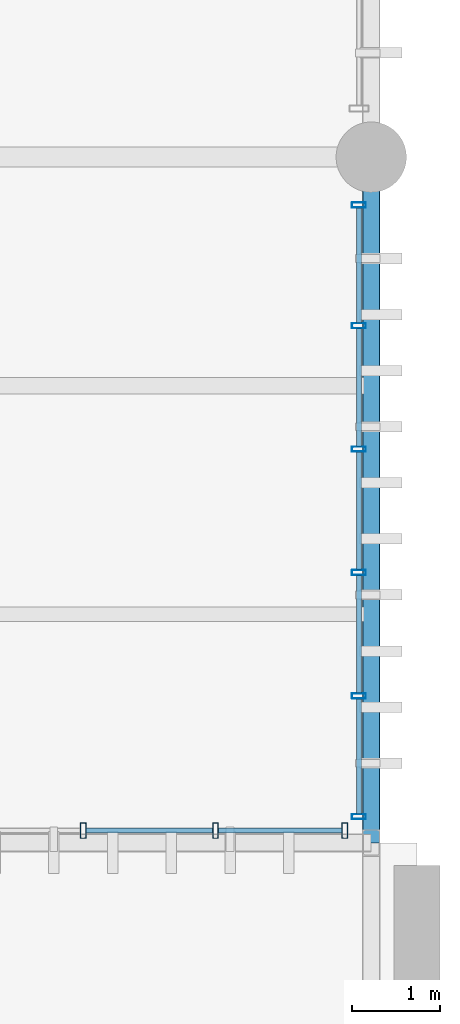
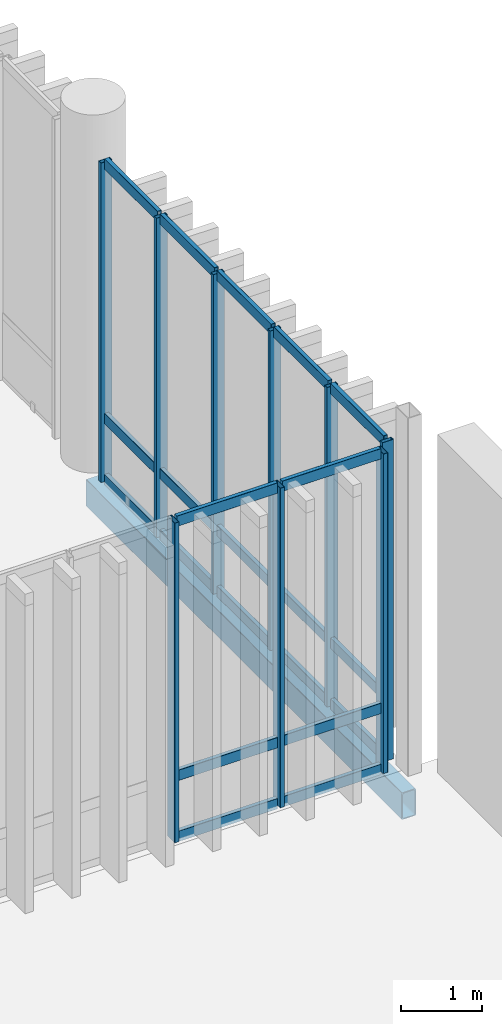
# One storey, part 61 of 112: 30 members, 1 beam, 2 elements without a shape of their own.
"""IFC4 building model written with IfcOpenShell, lengths in metres."""

from ifc_helpers import new_model, si_unit, direction, frame, origin_with_axes, origin_2d_with_axis, place, context, subcontext, project, spatial, hollow_rectangle, extrude, material, material_profile, profile_set, type_object, element, aggregate, save


model = new_model("IFC4")

# Units and contexts
model_context = context("Model", 3, precision=1e-05, world=origin_with_axes(), true_north=direction((0.0, 1.0)))
body_context = subcontext(model_context, "Body", "Model", "MODEL_VIEW")
ifc_project = project(units=[si_unit("LENGTHUNIT", "METRE"), si_unit("AREAUNIT", "SQUARE_METRE"), si_unit("VOLUMEUNIT", "CUBIC_METRE"), si_unit("PLANEANGLEUNIT", "RADIAN"), si_unit("MASSUNIT", "GRAM", prefix="KILO"), si_unit("THERMODYNAMICTEMPERATUREUNIT", "KELVIN")], contexts=[model_context])

# Site, building, storey
site_placement = place(None, origin_with_axes())
site = spatial("IfcSite", under=ifc_project, at=site_placement, CompositionType="ELEMENT")
building_placement = place(site_placement, origin_with_axes())
building = spatial("IfcBuilding", under=site, at=building_placement, Name="Montbau Bow Law Courts", CompositionType="ELEMENT")
storey_placement = place(building_placement, origin_with_axes())
storey = spatial("IfcBuildingStorey", under=building, at=storey_placement, Name="L00", CompositionType="ELEMENT", Elevation=0.0)

# Beam
ifc_material_1 = material(Name="Steel CSA G40.21 Grade 350WT (350 MPa)", Category="steel")
ifc_material_profile_1 = material_profile(ifc_material_1, hollow_rectangle(XDim=0.203, YDim=0.406, WallThickness=0.0127, InnerFilletRadius=0.0254, OuterFilletRadius=0.0127, at=origin_2d_with_axis()), Name="HSS406X203X13", Category="Main", Priority=0)
ifc_profile_set_1 = profile_set([ifc_material_profile_1], Name="Steel CSA G40.21 Grade 350WT (350 MPa)")
beam_type = type_object("IfcBeamType", Name="B-SPN-01", PredefinedType="SPANDREL", material=ifc_profile_set_1)
beam_placement = place(None, frame((169.4, 61.8, -0.543), z_axis=(0.0, 1.0, 0.0), x_axis=(-1.0, 0.0, 0.0)))
element("IfcBeam", 1, at=beam_placement, inside=storey, type_object=beam_type, Name="SPN-L00-S0459:bm2_0462", PredefinedType="SPANDREL", context=body_context, shape_type="SweptSolid", body=[
    extrude(hollow_rectangle(XDim=0.203, YDim=0.406, WallThickness=0.0127, InnerFilletRadius=0.0254, OuterFilletRadius=0.0127, at=origin_2d_with_axis()), origin_with_axes(), (0.0, 0.0, 1.0), 7.8),
])

# Curtain wall, members
ifc_material_2 = material(Name="Thermally Broken Extruded Aluminium AA 6063-T6", Category="aluminium")
curtain_wall_type = type_object("IfcCurtainWallType", Name="CW-SLT-01", PredefinedType="NOTDEFINED", material=ifc_material_2)
curtain_wall_1_placement = place(None, frame((163.115, 61.94, 0.0), z_axis=(0.0, 0.0, 1.0), x_axis=(1.0, 0.0, 0.0)))
curtain_wall_1 = element("IfcCurtainWall", 2, at=curtain_wall_1_placement, inside=storey, type_object=curtain_wall_type, Name="CW-L00-262:cw_0262", PredefinedType="NOTDEFINED")
ifc_material_profile_2 = material_profile(ifc_material_2, hollow_rectangle(XDim=0.065, YDim=0.18, WallThickness=0.005, InnerFilletRadius=0.01, OuterFilletRadius=0.005, at=origin_2d_with_axis()), Name="CWM-180X65", Category="Main", Priority=0)
ifc_profile_set_2 = profile_set([ifc_material_profile_2], Name="Thermally Broken Extruded Aluminium AA 6063-T6")
member_type_1 = type_object("IfcMemberType", Name="M-MUL-02", PredefinedType="MULLION", material=ifc_profile_set_2)
member_1_placement = place(None, frame((166.123, 61.94, 0.0), z_axis=(0.0, 0.0, 1.0), x_axis=(1.0, 0.0, 0.0)))
member_1 = element("IfcMember", 3, at=member_1_placement, type_object=member_type_1, Name="CW-L00-262-M03:cw_0262_M03", PredefinedType="MULLION", context=body_context, shape_type="SweptSolid", body=[
    extrude(hollow_rectangle(XDim=0.065, YDim=0.18, WallThickness=0.005, InnerFilletRadius=0.01, OuterFilletRadius=0.005, at=origin_2d_with_axis()), origin_with_axes(), (0.0, 0.0, 1.0), 4.82),
])
member_2_placement = place(None, frame((167.628, 61.94, 0.0), z_axis=(0.0, 0.0, 1.0), x_axis=(1.0, 0.0, 0.0)))
member_2 = element("IfcMember", 4, at=member_2_placement, type_object=member_type_1, Name="CW-L00-262-M04:cw_0262_M04", PredefinedType="MULLION", context=body_context, shape_type="SweptSolid", body=[
    extrude(hollow_rectangle(XDim=0.065, YDim=0.18, WallThickness=0.005, InnerFilletRadius=0.01, OuterFilletRadius=0.005, at=origin_2d_with_axis()), origin_with_axes(), (0.0, 0.0, 1.0), 4.82),
])
member_3_placement = place(None, frame((169.099, 61.94, 0.0), z_axis=(0.0, 0.0, 1.0), x_axis=(1.0, 0.0, 0.0)))
member_3 = element("IfcMember", 5, at=member_3_placement, type_object=member_type_1, Name="CW-L00-262-M05:cw_0262_M05", PredefinedType="MULLION", context=body_context, shape_type="SweptSolid", body=[
    extrude(hollow_rectangle(XDim=0.065, YDim=0.18, WallThickness=0.005, InnerFilletRadius=0.01, OuterFilletRadius=0.005, at=origin_2d_with_axis()), origin_with_axes(), (0.0, 0.0, 1.0), 4.82),
])

curtain_wall_2_placement = place(None, frame((169.26, 62.068, 0.0), z_axis=(0.0, 0.0, 1.0), x_axis=(1.0, 0.0, 0.0)))
curtain_wall_2 = element("IfcCurtainWall", 6, at=curtain_wall_2_placement, inside=storey, type_object=curtain_wall_type, Name="CW-L00-272:cw_0272", PredefinedType="NOTDEFINED")
ifc_material_profile_3 = material_profile(ifc_material_2, hollow_rectangle(XDim=0.06, YDim=0.16, WallThickness=0.004, InnerFilletRadius=0.008, OuterFilletRadius=0.004, at=origin_2d_with_axis()), Name="CWM-160X60", Category="Main", Priority=0)
ifc_profile_set_3 = profile_set([ifc_material_profile_3], Name="Thermally Broken Extruded Aluminium AA 6063-T6")
member_type_2 = type_object("IfcMemberType", Name="M-MUL-03", PredefinedType="MULLION", material=ifc_profile_set_3)
member_4_placement = place(None, frame((169.26, 62.098, 0.0), z_axis=(0.0, 0.0, 1.0), x_axis=(0.0, 1.0, 0.0)))
member_4 = element("IfcMember", 7, at=member_4_placement, type_object=member_type_2, Name="CW-L00-272-M01:cw_0272_M01", PredefinedType="MULLION", context=body_context, shape_type="SweptSolid", body=[
    extrude(hollow_rectangle(XDim=0.06, YDim=0.16, WallThickness=0.004, InnerFilletRadius=0.008, OuterFilletRadius=0.004, at=origin_2d_with_axis()), origin_with_axes(), (0.0, 0.0, 1.0), 4.82),
])
member_5_placement = place(None, frame((169.26, 63.471, 0.0), z_axis=(0.0, 0.0, 1.0), x_axis=(0.0, 1.0, 0.0)))
member_5 = element("IfcMember", 8, at=member_5_placement, type_object=member_type_2, Name="CW-L00-272-M02:cw_0272_M02", PredefinedType="MULLION", context=body_context, shape_type="SweptSolid", body=[
    extrude(hollow_rectangle(XDim=0.06, YDim=0.16, WallThickness=0.004, InnerFilletRadius=0.008, OuterFilletRadius=0.004, at=origin_2d_with_axis()), origin_with_axes(), (0.0, 0.0, 1.0), 4.82),
])
member_6_placement = place(None, frame((169.26, 64.875, 0.0), z_axis=(0.0, 0.0, 1.0), x_axis=(0.0, 1.0, 0.0)))
member_6 = element("IfcMember", 9, at=member_6_placement, type_object=member_type_2, Name="CW-L00-272-M03:cw_0272_M03", PredefinedType="MULLION", context=body_context, shape_type="SweptSolid", body=[
    extrude(hollow_rectangle(XDim=0.06, YDim=0.16, WallThickness=0.004, InnerFilletRadius=0.008, OuterFilletRadius=0.004, at=origin_2d_with_axis()), origin_with_axes(), (0.0, 0.0, 1.0), 4.82),
])
member_7_placement = place(None, frame((169.26, 66.278, 0.0), z_axis=(0.0, 0.0, 1.0), x_axis=(0.0, 1.0, 0.0)))
member_7 = element("IfcMember", 10, at=member_7_placement, type_object=member_type_2, Name="CW-L00-272-M04:cw_0272_M04", PredefinedType="MULLION", context=body_context, shape_type="SweptSolid", body=[
    extrude(hollow_rectangle(XDim=0.06, YDim=0.16, WallThickness=0.004, InnerFilletRadius=0.008, OuterFilletRadius=0.004, at=origin_2d_with_axis()), origin_with_axes(), (0.0, 0.0, 1.0), 4.82),
])
member_8_placement = place(None, frame((169.26, 67.682, 0.0), z_axis=(0.0, 0.0, 1.0), x_axis=(0.0, 1.0, 0.0)))
member_8 = element("IfcMember", 11, at=member_8_placement, type_object=member_type_2, Name="CW-L00-272-M05:cw_0272_M05", PredefinedType="MULLION", context=body_context, shape_type="SweptSolid", body=[
    extrude(hollow_rectangle(XDim=0.06, YDim=0.16, WallThickness=0.004, InnerFilletRadius=0.008, OuterFilletRadius=0.004, at=origin_2d_with_axis()), origin_with_axes(), (0.0, 0.0, 1.0), 4.82),
])
member_9_placement = place(None, frame((169.26, 69.055, 0.0), z_axis=(0.0, 0.0, 1.0), x_axis=(0.0, 1.0, 0.0)))
member_9 = element("IfcMember", 12, at=member_9_placement, type_object=member_type_2, Name="CW-L00-272-M06:cw_0272_M06", PredefinedType="MULLION", context=body_context, shape_type="SweptSolid", body=[
    extrude(hollow_rectangle(XDim=0.06, YDim=0.16, WallThickness=0.004, InnerFilletRadius=0.008, OuterFilletRadius=0.004, at=origin_2d_with_axis()), origin_with_axes(), (0.0, 0.0, 1.0), 4.82),
])

# Member
ifc_material_profile_4 = material_profile(ifc_material_2, hollow_rectangle(XDim=0.06, YDim=0.16, WallThickness=0.004, InnerFilletRadius=0.008, OuterFilletRadius=0.004, at=origin_2d_with_axis()), Name="CWT-160X60", Category="Main", Priority=0)
ifc_profile_set_4 = profile_set([ifc_material_profile_4], Name="Thermally Broken Extruded Aluminium AA 6063-T6")
member_type_3 = type_object("IfcMemberType", Name="M-TRN-01", PredefinedType="USERDEFINED", material=ifc_profile_set_4)
member_10_placement = place(None, frame((166.157, 61.94, 0.03), z_axis=(1.0, 0.0, 0.0), x_axis=(0.0, 1.0, 0.0)))
member_10 = element("IfcMember", 13, at=member_10_placement, type_object=member_type_3, Name="CW-L00-262-T03-1:cw_0262_T03_1", ObjectType="TRANSOM", PredefinedType="USERDEFINED", context=body_context, shape_type="SweptSolid", body=[
    extrude(hollow_rectangle(XDim=0.06, YDim=0.16, WallThickness=0.004, InnerFilletRadius=0.008, OuterFilletRadius=0.004, at=origin_2d_with_axis()), origin_with_axes(), (0.0, 0.0, 1.0), 1.437),
])

member_11_placement = place(None, frame((166.157, 61.94, 0.95), z_axis=(1.0, 0.0, 0.0), x_axis=(0.0, 1.0, 0.0)))
member_11 = element("IfcMember", 14, at=member_11_placement, type_object=member_type_3, Name="CW-L00-262-T03-2:cw_0262_T03_2", ObjectType="TRANSOM", PredefinedType="USERDEFINED", context=body_context, shape_type="SweptSolid", body=[
    extrude(hollow_rectangle(XDim=0.06, YDim=0.16, WallThickness=0.004, InnerFilletRadius=0.008, OuterFilletRadius=0.004, at=origin_2d_with_axis()), origin_with_axes(), (0.0, 0.0, 1.0), 1.437),
])

member_12_placement = place(None, frame((166.157, 61.94, 4.79), z_axis=(1.0, 0.0, 0.0), x_axis=(0.0, 1.0, 0.0)))
member_12 = element("IfcMember", 15, at=member_12_placement, type_object=member_type_3, Name="CW-L00-262-T03-3:cw_0262_T03_3", ObjectType="TRANSOM", PredefinedType="USERDEFINED", context=body_context, shape_type="SweptSolid", body=[
    extrude(hollow_rectangle(XDim=0.06, YDim=0.16, WallThickness=0.004, InnerFilletRadius=0.008, OuterFilletRadius=0.004, at=origin_2d_with_axis()), origin_with_axes(), (0.0, 0.0, 1.0), 1.437),
])

member_13_placement = place(None, frame((167.662, 61.94, 0.03), z_axis=(1.0, 0.0, 0.0), x_axis=(0.0, 1.0, 0.0)))
member_13 = element("IfcMember", 16, at=member_13_placement, type_object=member_type_3, Name="CW-L00-262-T04-1:cw_0262_T04_1", ObjectType="TRANSOM", PredefinedType="USERDEFINED", context=body_context, shape_type="SweptSolid", body=[
    extrude(hollow_rectangle(XDim=0.06, YDim=0.16, WallThickness=0.004, InnerFilletRadius=0.008, OuterFilletRadius=0.004, at=origin_2d_with_axis()), origin_with_axes(), (0.0, 0.0, 1.0), 1.403),
])

member_14_placement = place(None, frame((167.662, 61.94, 0.95), z_axis=(1.0, 0.0, 0.0), x_axis=(0.0, 1.0, 0.0)))
member_14 = element("IfcMember", 17, at=member_14_placement, type_object=member_type_3, Name="CW-L00-262-T04-2:cw_0262_T04_2", ObjectType="TRANSOM", PredefinedType="USERDEFINED", context=body_context, shape_type="SweptSolid", body=[
    extrude(hollow_rectangle(XDim=0.06, YDim=0.16, WallThickness=0.004, InnerFilletRadius=0.008, OuterFilletRadius=0.004, at=origin_2d_with_axis()), origin_with_axes(), (0.0, 0.0, 1.0), 1.403),
])

member_15_placement = place(None, frame((167.662, 61.94, 4.79), z_axis=(1.0, 0.0, 0.0), x_axis=(0.0, 1.0, 0.0)))
member_15 = element("IfcMember", 18, at=member_15_placement, type_object=member_type_3, Name="CW-L00-262-T04-3:cw_0262_T04_3", ObjectType="TRANSOM", PredefinedType="USERDEFINED", context=body_context, shape_type="SweptSolid", body=[
    extrude(hollow_rectangle(XDim=0.06, YDim=0.16, WallThickness=0.004, InnerFilletRadius=0.008, OuterFilletRadius=0.004, at=origin_2d_with_axis()), origin_with_axes(), (0.0, 0.0, 1.0), 1.403),
])

aggregate(curtain_wall_1, [member_1, member_2, member_3, member_10, member_11, member_12, member_13, member_14, member_15])

member_16_placement = place(None, frame((169.26, 62.13, 0.03), z_axis=(0.0, 1.0, 0.0), x_axis=(-1.0, 0.0, 0.0)))
member_16 = element("IfcMember", 19, at=member_16_placement, type_object=member_type_3, Name="CW-L00-272-T01-1:cw_0272_T01_1", ObjectType="TRANSOM", PredefinedType="USERDEFINED", context=body_context, shape_type="SweptSolid", body=[
    extrude(hollow_rectangle(XDim=0.06, YDim=0.16, WallThickness=0.004, InnerFilletRadius=0.008, OuterFilletRadius=0.004, at=origin_2d_with_axis()), origin_with_axes(), (0.0, 0.0, 1.0), 1.309),
])

member_17_placement = place(None, frame((169.26, 62.13, 0.95), z_axis=(0.0, 1.0, 0.0), x_axis=(-1.0, 0.0, 0.0)))
member_17 = element("IfcMember", 20, at=member_17_placement, type_object=member_type_3, Name="CW-L00-272-T01-2:cw_0272_T01_2", ObjectType="TRANSOM", PredefinedType="USERDEFINED", context=body_context, shape_type="SweptSolid", body=[
    extrude(hollow_rectangle(XDim=0.06, YDim=0.16, WallThickness=0.004, InnerFilletRadius=0.008, OuterFilletRadius=0.004, at=origin_2d_with_axis()), origin_with_axes(), (0.0, 0.0, 1.0), 1.309),
])

member_18_placement = place(None, frame((169.26, 62.13, 4.79), z_axis=(0.0, 1.0, 0.0), x_axis=(-1.0, 0.0, 0.0)))
member_18 = element("IfcMember", 21, at=member_18_placement, type_object=member_type_3, Name="CW-L00-272-T01-3:cw_0272_T01_3", ObjectType="TRANSOM", PredefinedType="USERDEFINED", context=body_context, shape_type="SweptSolid", body=[
    extrude(hollow_rectangle(XDim=0.06, YDim=0.16, WallThickness=0.004, InnerFilletRadius=0.008, OuterFilletRadius=0.004, at=origin_2d_with_axis()), origin_with_axes(), (0.0, 0.0, 1.0), 1.309),
])

member_19_placement = place(None, frame((169.26, 63.503, 0.03), z_axis=(0.0, 1.0, 0.0), x_axis=(-1.0, 0.0, 0.0)))
member_19 = element("IfcMember", 22, at=member_19_placement, type_object=member_type_3, Name="CW-L00-272-T02-1:cw_0272_T02_1", ObjectType="TRANSOM", PredefinedType="USERDEFINED", context=body_context, shape_type="SweptSolid", body=[
    extrude(hollow_rectangle(XDim=0.06, YDim=0.16, WallThickness=0.004, InnerFilletRadius=0.008, OuterFilletRadius=0.004, at=origin_2d_with_axis()), origin_with_axes(), (0.0, 0.0, 1.0), 1.34),
])

member_20_placement = place(None, frame((169.26, 63.503, 0.95), z_axis=(0.0, 1.0, 0.0), x_axis=(-1.0, 0.0, 0.0)))
member_20 = element("IfcMember", 23, at=member_20_placement, type_object=member_type_3, Name="CW-L00-272-T02-2:cw_0272_T02_2", ObjectType="TRANSOM", PredefinedType="USERDEFINED", context=body_context, shape_type="SweptSolid", body=[
    extrude(hollow_rectangle(XDim=0.06, YDim=0.16, WallThickness=0.004, InnerFilletRadius=0.008, OuterFilletRadius=0.004, at=origin_2d_with_axis()), origin_with_axes(), (0.0, 0.0, 1.0), 1.34),
])

member_21_placement = place(None, frame((169.26, 63.503, 4.79), z_axis=(0.0, 1.0, 0.0), x_axis=(-1.0, 0.0, 0.0)))
member_21 = element("IfcMember", 24, at=member_21_placement, type_object=member_type_3, Name="CW-L00-272-T02-3:cw_0272_T02_3", ObjectType="TRANSOM", PredefinedType="USERDEFINED", context=body_context, shape_type="SweptSolid", body=[
    extrude(hollow_rectangle(XDim=0.06, YDim=0.16, WallThickness=0.004, InnerFilletRadius=0.008, OuterFilletRadius=0.004, at=origin_2d_with_axis()), origin_with_axes(), (0.0, 0.0, 1.0), 1.34),
])

member_22_placement = place(None, frame((169.26, 64.907, 0.03), z_axis=(0.0, 1.0, 0.0), x_axis=(-1.0, 0.0, 0.0)))
member_22 = element("IfcMember", 25, at=member_22_placement, type_object=member_type_3, Name="CW-L00-272-T03-1:cw_0272_T03_1", ObjectType="TRANSOM", PredefinedType="USERDEFINED", context=body_context, shape_type="SweptSolid", body=[
    extrude(hollow_rectangle(XDim=0.06, YDim=0.16, WallThickness=0.004, InnerFilletRadius=0.008, OuterFilletRadius=0.004, at=origin_2d_with_axis()), origin_with_axes(), (0.0, 0.0, 1.0), 1.339),
])

member_23_placement = place(None, frame((169.26, 64.907, 0.95), z_axis=(0.0, 1.0, 0.0), x_axis=(-1.0, 0.0, 0.0)))
member_23 = element("IfcMember", 26, at=member_23_placement, type_object=member_type_3, Name="CW-L00-272-T03-2:cw_0272_T03_2", ObjectType="TRANSOM", PredefinedType="USERDEFINED", context=body_context, shape_type="SweptSolid", body=[
    extrude(hollow_rectangle(XDim=0.06, YDim=0.16, WallThickness=0.004, InnerFilletRadius=0.008, OuterFilletRadius=0.004, at=origin_2d_with_axis()), origin_with_axes(), (0.0, 0.0, 1.0), 1.339),
])

member_24_placement = place(None, frame((169.26, 64.907, 4.79), z_axis=(0.0, 1.0, 0.0), x_axis=(-1.0, 0.0, 0.0)))
member_24 = element("IfcMember", 27, at=member_24_placement, type_object=member_type_3, Name="CW-L00-272-T03-3:cw_0272_T03_3", ObjectType="TRANSOM", PredefinedType="USERDEFINED", context=body_context, shape_type="SweptSolid", body=[
    extrude(hollow_rectangle(XDim=0.06, YDim=0.16, WallThickness=0.004, InnerFilletRadius=0.008, OuterFilletRadius=0.004, at=origin_2d_with_axis()), origin_with_axes(), (0.0, 0.0, 1.0), 1.339),
])

member_25_placement = place(None, frame((169.26, 66.31, 0.03), z_axis=(0.0, 1.0, 0.0), x_axis=(-1.0, 0.0, 0.0)))
member_25 = element("IfcMember", 28, at=member_25_placement, type_object=member_type_3, Name="CW-L00-272-T04-1:cw_0272_T04_1", ObjectType="TRANSOM", PredefinedType="USERDEFINED", context=body_context, shape_type="SweptSolid", body=[
    extrude(hollow_rectangle(XDim=0.06, YDim=0.16, WallThickness=0.004, InnerFilletRadius=0.008, OuterFilletRadius=0.004, at=origin_2d_with_axis()), origin_with_axes(), (0.0, 0.0, 1.0), 1.34),
])

member_26_placement = place(None, frame((169.26, 66.31, 0.95), z_axis=(0.0, 1.0, 0.0), x_axis=(-1.0, 0.0, 0.0)))
member_26 = element("IfcMember", 29, at=member_26_placement, type_object=member_type_3, Name="CW-L00-272-T04-2:cw_0272_T04_2", ObjectType="TRANSOM", PredefinedType="USERDEFINED", context=body_context, shape_type="SweptSolid", body=[
    extrude(hollow_rectangle(XDim=0.06, YDim=0.16, WallThickness=0.004, InnerFilletRadius=0.008, OuterFilletRadius=0.004, at=origin_2d_with_axis()), origin_with_axes(), (0.0, 0.0, 1.0), 1.34),
])

member_27_placement = place(None, frame((169.26, 66.31, 4.79), z_axis=(0.0, 1.0, 0.0), x_axis=(-1.0, 0.0, 0.0)))
member_27 = element("IfcMember", 30, at=member_27_placement, type_object=member_type_3, Name="CW-L00-272-T04-3:cw_0272_T04_3", ObjectType="TRANSOM", PredefinedType="USERDEFINED", context=body_context, shape_type="SweptSolid", body=[
    extrude(hollow_rectangle(XDim=0.06, YDim=0.16, WallThickness=0.004, InnerFilletRadius=0.008, OuterFilletRadius=0.004, at=origin_2d_with_axis()), origin_with_axes(), (0.0, 0.0, 1.0), 1.34),
])

member_28_placement = place(None, frame((169.26, 67.714, 0.03), z_axis=(0.0, 1.0, 0.0), x_axis=(-1.0, 0.0, 0.0)))
member_28 = element("IfcMember", 31, at=member_28_placement, type_object=member_type_3, Name="CW-L00-272-T05-1:cw_0272_T05_1", ObjectType="TRANSOM", PredefinedType="USERDEFINED", context=body_context, shape_type="SweptSolid", body=[
    extrude(hollow_rectangle(XDim=0.06, YDim=0.16, WallThickness=0.004, InnerFilletRadius=0.008, OuterFilletRadius=0.004, at=origin_2d_with_axis()), origin_with_axes(), (0.0, 0.0, 1.0), 1.309),
])

member_29_placement = place(None, frame((169.26, 67.714, 0.95), z_axis=(0.0, 1.0, 0.0), x_axis=(-1.0, 0.0, 0.0)))
member_29 = element("IfcMember", 32, at=member_29_placement, type_object=member_type_3, Name="CW-L00-272-T05-2:cw_0272_T05_2", ObjectType="TRANSOM", PredefinedType="USERDEFINED", context=body_context, shape_type="SweptSolid", body=[
    extrude(hollow_rectangle(XDim=0.06, YDim=0.16, WallThickness=0.004, InnerFilletRadius=0.008, OuterFilletRadius=0.004, at=origin_2d_with_axis()), origin_with_axes(), (0.0, 0.0, 1.0), 1.309),
])

member_30_placement = place(None, frame((169.26, 67.714, 4.79), z_axis=(0.0, 1.0, 0.0), x_axis=(-1.0, 0.0, 0.0)))
member_30 = element("IfcMember", 33, at=member_30_placement, type_object=member_type_3, Name="CW-L00-272-T05-3:cw_0272_T05_3", ObjectType="TRANSOM", PredefinedType="USERDEFINED", context=body_context, shape_type="SweptSolid", body=[
    extrude(hollow_rectangle(XDim=0.06, YDim=0.16, WallThickness=0.004, InnerFilletRadius=0.008, OuterFilletRadius=0.004, at=origin_2d_with_axis()), origin_with_axes(), (0.0, 0.0, 1.0), 1.309),
])

aggregate(curtain_wall_2, [member_4, member_5, member_6, member_7, member_8, member_9, member_16, member_17, member_18, member_19, member_20, member_21, member_22, member_23, member_24, member_25, member_26, member_27, member_28, member_29, member_30])

save(model, "model.ifc")
